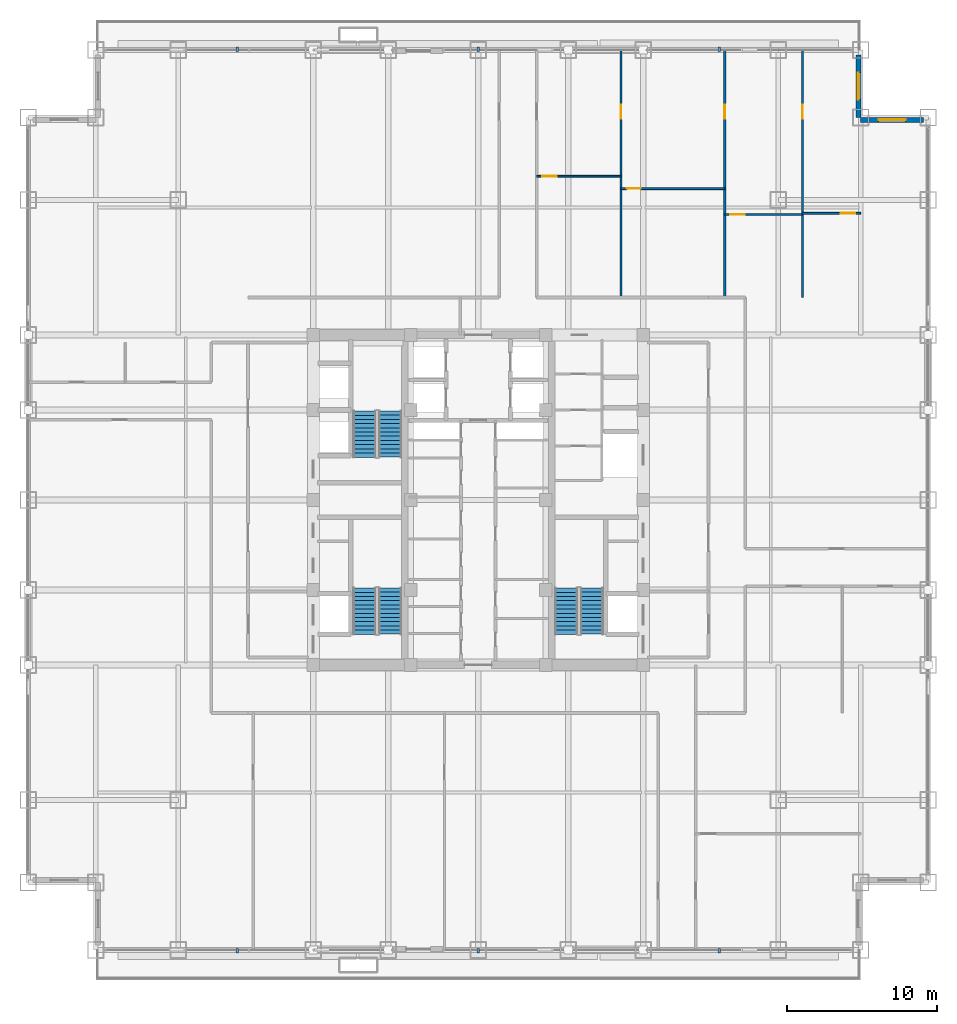
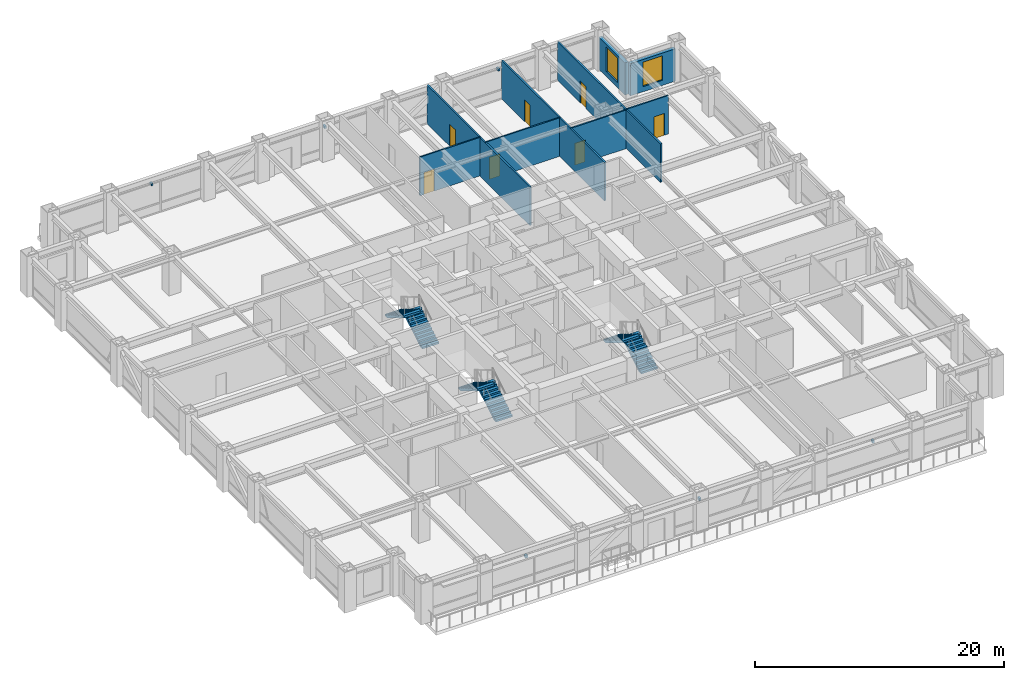
# One storey, part 30 of 35: 9 walls, 7 doors, 6 discrete accessories, 6 stair flights, 2 windows, 9 openings, 3 elements without a shape of their own.
"""IFC4 building model written with IfcOpenShell, lengths in metres."""

from ifc_helpers import new_model, si_unit, direction, frame, frame_2d, origin, origin_2d, place, context, subcontext, project, spatial, polyline, rectangle, outline, extrude, source, transform, mapped, material, layer, layer_set, type_object, element, fill, aggregate, save


model = new_model("IFC4")

# Units and contexts
model_context = context("Model", 3, precision=1e-05, world=origin(), true_north=direction((0.0, 1.0)))
body_context = subcontext(model_context, "Body", "Model", "MODEL_VIEW")
ifc_project = project(units=[si_unit("LENGTHUNIT", "METRE"), si_unit("AREAUNIT", "SQUARE_METRE"), si_unit("VOLUMEUNIT", "CUBIC_METRE"), si_unit("PLANEANGLEUNIT", "RADIAN"), si_unit("MASSUNIT", "GRAM", prefix="KILO")], contexts=[model_context])

# Site, building, storey
site_placement = place(None, origin())
site = spatial("IfcSite", under=ifc_project, at=site_placement, CompositionType="ELEMENT")
building_placement = place(site_placement, origin())
building = spatial("IfcBuilding", under=site, at=building_placement, Name="Khorayat Bourse Tower", CompositionType="ELEMENT")
storey_placement = place(building_placement, frame((0.0, 0.0, 155.10009765625)))
storey = spatial("IfcBuildingStorey", under=building, at=storey_placement, Name="L35", CompositionType="ELEMENT", Elevation=155.10009765625)

# Wall, opening, window
ifc_material_1 = material(Name="Precast concrete C45/55", Category="concrete")
ifc_layer_1 = layer(ifc_material_1, 0.320068359375)
ifc_layer_set_1 = layer_set([ifc_layer_1], Name="Precast concrete C45/55")
wall_type_1 = type_object("IfcWallType", Name="WAL-EXT-STONE-320", PredefinedType="STANDARD", material=ifc_layer_set_1)
shared_shape_1 = source(origin(), body_context, "Body", "SweptSolid", [
    extrude(rectangle(XDim=4.179931640625, YDim=0.320068359375, at=frame_2d((2.08984375, 0.0))), origin(), (0.0, 0.0, 1.0), 3.163818359375),
])
wall_1_placement = place(storey_placement, frame((25.5, 25.340087890625, 0.0), z_axis=(0.0, 0.0, 1.0), x_axis=(1.0, 0.0, 0.0)))
wall_1 = element("IfcWall", 1, at=wall_1_placement, inside=storey, type_object=wall_type_1, Name="L35 Re-Entrant Notch Limestone Wall NE-H", PredefinedType="STANDARD", context=body_context, shape_type="MappedRepresentation", body=[
    mapped(shared_shape_1, transform((0.0, 0.0, 0.0), scale=1.0)),
])
shared_shape_2 = source(origin(), body_context, "Body", "SweptSolid", [
    extrude(rectangle(XDim=1.800048828125, YDim=2.39990234375, at=frame_2d((0.89990234375, 1.199951171875))), frame((0.0, 0.169921875, 0.0), z_axis=(0.0, -1.0, 0.0), x_axis=(1.0, 0.0, 0.0)), (0.0, 0.0, 1.0), 0.340087890625),
])
opening_1_placement = place(wall_1_placement, frame((1.18994140625, 0.0, 0.5)))
opening_1 = element("IfcOpeningElement", 2, at=opening_1_placement, cuts=wall_1, Name="Opening WN-04", PredefinedType="OPENING", context=body_context, shape_type="MappedRepresentation", body=[
    mapped(shared_shape_2, transform((0.0, 0.0, 0.0), scale=1.0)),
])
ifc_material_2 = material(Name="Low-E acoustic laminated double glazing", Category="glass")
window_type = type_object("IfcWindowType", Name="WIN-NOTCH-1800x2400", PartitioningType="SINGLE_PANEL", PredefinedType="WINDOW", material=ifc_material_2)
shared_shape_3 = source(origin(), body_context, "Body", "SweptSolid", [
    extrude(rectangle(XDim=1.800048828125, YDim=2.39990234375, at=frame_2d((0.89990234375, 1.199951171875))), frame((0.0, 0.030029296875, 0.0), z_axis=(0.0, -1.0, 0.0), x_axis=(1.0, 0.0, 0.0)), (0.0, 0.0, 1.0), 0.06005859375),
])
window_1_placement = place(opening_1_placement, origin())
window_1 = element("IfcWindow", 3, at=window_1_placement, inside=storey, type_object=window_type, Name="L35 Facade Window 1", OverallHeight=2.39990234375, OverallWidth=1.800048828125, PartitioningType="SINGLE_PANEL", PredefinedType="WINDOW", context=body_context, shape_type="MappedRepresentation", body=[
    mapped(shared_shape_3, transform((0.0, 0.0, 0.0), scale=1.0)),
])
fill(opening_1, window_1)

wall_2_placement = place(storey_placement, frame((25.340087890625, 25.5, 0.0), z_axis=(0.0, 0.0, 1.0), x_axis=(0.0, 1.0, 0.0)))
wall_2 = element("IfcWall", 4, at=wall_2_placement, inside=storey, type_object=wall_type_1, Name="L35 Re-Entrant Notch Limestone Wall NE-V", PredefinedType="STANDARD", context=body_context, shape_type="MappedRepresentation", body=[
    mapped(shared_shape_1, transform((0.0, 0.0, 0.0), scale=1.0)),
])
opening_2_placement = place(wall_2_placement, frame((1.18994140625, 0.0, 0.5)))
opening_2 = element("IfcOpeningElement", 5, at=opening_2_placement, cuts=wall_2, Name="Opening WN-04", PredefinedType="OPENING", context=body_context, shape_type="MappedRepresentation", body=[
    mapped(shared_shape_2, transform((0.0, 0.0, 0.0), scale=1.0)),
])
window_2_placement = place(opening_2_placement, origin())
window_2 = element("IfcWindow", 6, at=window_2_placement, inside=storey, type_object=window_type, Name="L35 Facade Window 1", OverallHeight=2.39990234375, OverallWidth=1.800048828125, PartitioningType="SINGLE_PANEL", PredefinedType="WINDOW", context=body_context, shape_type="MappedRepresentation", body=[
    mapped(shared_shape_3, transform((0.0, 0.0, 0.0), scale=1.0)),
])
fill(opening_2, window_2)

# Wall, opening, door
ifc_material_3 = material(Name="Gypsum plasterboard partition")
ifc_layer_2 = layer(ifc_material_3, 0.125)
ifc_layer_set_2 = layer_set([ifc_layer_2], Name="Gypsum plasterboard partition")
wall_type_2 = type_object("IfcWallType", Name="WAL-PART-ROOM-125", PredefinedType="PARTITIONING", material=ifc_layer_set_2)
shared_shape_4 = source(origin(), body_context, "Body", "SweptSolid", [
    extrude(rectangle(XDim=5.6162109375, YDim=0.125, at=frame_2d((2.80810546875, 0.0))), origin(), (0.0, 0.0, 1.0), 3.77978515625),
])
wall_3_placement = place(storey_placement, frame((3.89990234375, 21.5849609375, 0.0), z_axis=(0.0, 0.0, 1.0), x_axis=(1.0, 0.0, 0.0)))
wall_3 = element("IfcWall", 7, at=wall_3_placement, inside=storey, type_object=wall_type_2, Name="L35 Partition WAL-L35-QNEDP-1", PredefinedType="PARTITIONING", context=body_context, shape_type="MappedRepresentation", body=[
    mapped(shared_shape_4, transform((0.0, 0.0, 0.0), scale=1.0)),
])
shared_shape_5 = source(origin(), body_context, "Body", "SweptSolid", [
    extrude(rectangle(XDim=0.949951171875, YDim=2.14990234375, at=frame_2d((0.47509765625, 1.074951171875))), frame((0.0, 0.072509765625, 0.0), z_axis=(0.0, -1.0, 0.0), x_axis=(1.0, 0.0, 0.0)), (0.0, 0.0, 1.0), 0.14501953125),
])
opening_3_placement = place(wall_3_placement, frame((0.375, 0.0, 0.0)))
opening_3 = element("IfcOpeningElement", 8, at=opening_3_placement, cuts=wall_3, Name="Opening DI-05", PredefinedType="OPENING", context=body_context, shape_type="MappedRepresentation", body=[
    mapped(shared_shape_5, transform((0.0, 0.0, 0.0), scale=1.0)),
])
ifc_material_4 = material(Name="Acoustic oak veneer office door")
door_type = type_object("IfcDoorType", Name="DR-INT-OFFICE-950", OperationType="NOTDEFINED", PredefinedType="DOOR", material=ifc_material_4)
shared_shape_6 = source(origin(), body_context, "Body", "SweptSolid", [
    extrude(rectangle(XDim=0.949951171875, YDim=2.14990234375, at=frame_2d((0.47509765625, 1.074951171875))), frame((0.0, 0.02490234375, 0.0), z_axis=(0.0, -1.0, 0.0), x_axis=(1.0, 0.0, 0.0)), (0.0, 0.0, 1.0), 0.050048828125),
])
door_1_placement = place(opening_3_placement, origin())
door_1 = element("IfcDoor", 9, at=door_1_placement, inside=storey, type_object=door_type, Name="L35 North-East Staff Tea Pantry 1B Door", OperationType="SINGLE_SWING_RIGHT", OverallHeight=2.14990234375, OverallWidth=0.949951171875, PredefinedType="DOOR", context=body_context, shape_type="MappedRepresentation", body=[
    mapped(shared_shape_6, transform((0.0, 0.0, 0.0), scale=1.0)),
])
fill(opening_3, door_1)

ifc_material_5 = material(Name="Gypsum plasterboard twin-frame partition")
ifc_layer_3 = layer(ifc_material_5, 0.14990234375)
ifc_layer_set_3 = layer_set([ifc_layer_3], Name="Gypsum plasterboard twin-frame partition")
wall_type_3 = type_object("IfcWallType", Name="WAL-PART-SUITE-150", PredefinedType="PARTITIONING", material=ifc_layer_set_3)
shared_shape_7 = source(origin(), body_context, "Body", "SweptSolid", [
    extrude(rectangle(XDim=16.5, YDim=0.14990234375, at=frame_2d((8.25, 0.0))), origin(), (0.0, 0.0, 1.0), 3.77978515625),
])
wall_4_placement = place(storey_placement, frame((9.51611328125, 13.5, 0.0), z_axis=(0.0, 0.0, 1.0), x_axis=(0.0, 1.0, 0.0)))
wall_4 = element("IfcWall", 10, at=wall_4_placement, inside=storey, type_object=wall_type_3, Name="L35 Partition WAL-L35-QNEDV-1", PredefinedType="PARTITIONING", context=body_context, shape_type="MappedRepresentation", body=[
    mapped(shared_shape_7, transform((0.0, 0.0, 0.0), scale=1.0)),
])
shared_shape_8 = source(origin(), body_context, "Body", "SweptSolid", [
    extrude(rectangle(XDim=0.949951171875, YDim=2.14990234375, at=frame_2d((0.47509765625, 1.074951171875))), frame((0.0, 0.0849609375, 0.0), z_axis=(0.0, -1.0, 0.0), x_axis=(1.0, 0.0, 0.0)), (0.0, 0.0, 1.0), 0.169921875),
])
opening_4_placement = place(wall_4_placement, frame((11.89990234375, 0.0, 0.0)))
opening_4 = element("IfcOpeningElement", 11, at=opening_4_placement, cuts=wall_4, Name="Opening DI-05", PredefinedType="OPENING", context=body_context, shape_type="MappedRepresentation", body=[
    mapped(shared_shape_8, transform((0.0, 0.0, 0.0), scale=1.0)),
])
door_2_placement = place(opening_4_placement, origin())
door_2 = element("IfcDoor", 12, at=door_2_placement, inside=storey, type_object=door_type, Name="L35 North-East Suite Link 1", OperationType="SINGLE_SWING_RIGHT", OverallHeight=2.14990234375, OverallWidth=0.949951171875, PredefinedType="DOOR", context=body_context, shape_type="MappedRepresentation", body=[
    mapped(shared_shape_6, transform((0.0, 0.0, 0.0), scale=1.0)),
])
fill(opening_4, door_2)

wall_5_placement = place(storey_placement, frame((16.427978515625, 13.5, 0.0), z_axis=(0.0, 0.0, 1.0), x_axis=(0.0, 1.0, 0.0)))
wall_5 = element("IfcWall", 13, at=wall_5_placement, inside=storey, type_object=wall_type_3, Name="L35 Partition WAL-L35-QNEDV-2", PredefinedType="PARTITIONING", context=body_context, shape_type="MappedRepresentation", body=[
    mapped(shared_shape_7, transform((0.0, 0.0, 0.0), scale=1.0)),
])
opening_5_placement = place(wall_5_placement, frame((11.89990234375, 0.0, 0.0)))
opening_5 = element("IfcOpeningElement", 14, at=opening_5_placement, cuts=wall_5, Name="Opening DI-05", PredefinedType="OPENING", context=body_context, shape_type="MappedRepresentation", body=[
    mapped(shared_shape_8, transform((0.0, 0.0, 0.0), scale=1.0)),
])
door_3_placement = place(opening_5_placement, origin())
door_3 = element("IfcDoor", 15, at=door_3_placement, inside=storey, type_object=door_type, Name="L35 North-East Suite Link 2", OperationType="SINGLE_SWING_LEFT", OverallHeight=2.14990234375, OverallWidth=0.949951171875, PredefinedType="DOOR", context=body_context, shape_type="MappedRepresentation", body=[
    mapped(shared_shape_6, transform((0.0, 0.0, 0.0), scale=1.0)),
])
fill(opening_5, door_3)

wall_6_placement = place(storey_placement, frame((21.612060546875, 13.5, 0.0), z_axis=(0.0, 0.0, 1.0), x_axis=(0.0, 1.0, 0.0)))
wall_6 = element("IfcWall", 16, at=wall_6_placement, inside=storey, type_object=wall_type_3, Name="L35 Partition WAL-L35-QNEDV-3", PredefinedType="PARTITIONING", context=body_context, shape_type="MappedRepresentation", body=[
    mapped(shared_shape_7, transform((0.0, 0.0, 0.0), scale=1.0)),
])
opening_6_placement = place(wall_6_placement, frame((11.89990234375, 0.0, 0.0)))
opening_6 = element("IfcOpeningElement", 17, at=opening_6_placement, cuts=wall_6, Name="Opening DI-05", PredefinedType="OPENING", context=body_context, shape_type="MappedRepresentation", body=[
    mapped(shared_shape_8, transform((0.0, 0.0, 0.0), scale=1.0)),
])
door_4_placement = place(opening_6_placement, origin())
door_4 = element("IfcDoor", 18, at=door_4_placement, inside=storey, type_object=door_type, Name="L35 North-East Suite Link 3", OperationType="SINGLE_SWING_RIGHT", OverallHeight=2.14990234375, OverallWidth=0.949951171875, PredefinedType="DOOR", context=body_context, shape_type="MappedRepresentation", body=[
    mapped(shared_shape_6, transform((0.0, 0.0, 0.0), scale=1.0)),
])
fill(opening_6, door_4)

shared_shape_9 = source(origin(), body_context, "Body", "SweptSolid", [
    extrude(rectangle(XDim=6.911865234375, YDim=0.125, at=frame_2d((3.4560546875, 0.0))), origin(), (0.0, 0.0, 1.0), 3.77978515625),
])
wall_7_placement = place(storey_placement, frame((9.51611328125, 20.760009765625, 0.0), z_axis=(0.0, 0.0, 1.0), x_axis=(1.0, 0.0, 0.0)))
wall_7 = element("IfcWall", 19, at=wall_7_placement, inside=storey, type_object=wall_type_2, Name="L35 Partition WAL-L35-QNEDP-2", PredefinedType="PARTITIONING", context=body_context, shape_type="MappedRepresentation", body=[
    mapped(shared_shape_9, transform((0.0, 0.0, 0.0), scale=1.0)),
])
opening_7_placement = place(wall_7_placement, frame((0.375, 0.0, 0.0)))
opening_7 = element("IfcOpeningElement", 20, at=opening_7_placement, cuts=wall_7, Name="Opening DI-05", PredefinedType="OPENING", context=body_context, shape_type="MappedRepresentation", body=[
    mapped(shared_shape_5, transform((0.0, 0.0, 0.0), scale=1.0)),
])
door_5_placement = place(opening_7_placement, origin())
door_5 = element("IfcDoor", 21, at=door_5_placement, inside=storey, type_object=door_type, Name="L35 North-East Clearing Records Archive Store 2B Door", OperationType="SINGLE_SWING_LEFT", OverallHeight=2.14990234375, OverallWidth=0.949951171875, PredefinedType="DOOR", context=body_context, shape_type="MappedRepresentation", body=[
    mapped(shared_shape_6, transform((0.0, 0.0, 0.0), scale=1.0)),
])
fill(opening_7, door_5)

shared_shape_10 = source(origin(), body_context, "Body", "SweptSolid", [
    extrude(rectangle(XDim=5.18408203125, YDim=0.125, at=frame_2d((2.592041015625, 0.0))), origin(), (0.0, 0.0, 1.0), 3.77978515625),
])
wall_8_placement = place(storey_placement, frame((16.427978515625, 19.034912109375, 0.0), z_axis=(0.0, 0.0, 1.0), x_axis=(1.0, 0.0, 0.0)))
wall_8 = element("IfcWall", 22, at=wall_8_placement, inside=storey, type_object=wall_type_2, Name="L35 Partition WAL-L35-QNEDP-3", PredefinedType="PARTITIONING", context=body_context, shape_type="MappedRepresentation", body=[
    mapped(shared_shape_10, transform((0.0, 0.0, 0.0), scale=1.0)),
])
opening_8_placement = place(wall_8_placement, frame((0.375, 0.0, 0.0)))
opening_8 = element("IfcOpeningElement", 23, at=opening_8_placement, cuts=wall_8, Name="Opening DI-05", PredefinedType="OPENING", context=body_context, shape_type="MappedRepresentation", body=[
    mapped(shared_shape_5, transform((0.0, 0.0, 0.0), scale=1.0)),
])
door_6_placement = place(opening_8_placement, origin())
door_6 = element("IfcDoor", 24, at=door_6_placement, inside=storey, type_object=door_type, Name="L35 North-East Members Dining Room 3B Door", OperationType="SINGLE_SWING_RIGHT", OverallHeight=2.14990234375, OverallWidth=0.949951171875, PredefinedType="DOOR", context=body_context, shape_type="MappedRepresentation", body=[
    mapped(shared_shape_6, transform((0.0, 0.0, 0.0), scale=1.0)),
])
fill(opening_8, door_6)

shared_shape_11 = source(origin(), body_context, "Body", "SweptSolid", [
    extrude(rectangle(XDim=3.887939453125, YDim=0.125, at=frame_2d((1.94384765625, 0.0))), origin(), (0.0, 0.0, 1.0), 3.77978515625),
])
wall_9_placement = place(storey_placement, frame((21.612060546875, 19.110107421875, 0.0), z_axis=(0.0, 0.0, 1.0), x_axis=(1.0, 0.0, 0.0)))
wall_9 = element("IfcWall", 25, at=wall_9_placement, inside=storey, type_object=wall_type_2, Name="L35 Partition WAL-L35-QNEDP-4", PredefinedType="PARTITIONING", context=body_context, shape_type="MappedRepresentation", body=[
    mapped(shared_shape_11, transform((0.0, 0.0, 0.0), scale=1.0)),
])
opening_9_placement = place(wall_9_placement, frame((2.56298828125, 0.0, 0.0)))
opening_9 = element("IfcOpeningElement", 26, at=opening_9_placement, cuts=wall_9, Name="Opening DI-05", PredefinedType="OPENING", context=body_context, shape_type="MappedRepresentation", body=[
    mapped(shared_shape_5, transform((0.0, 0.0, 0.0), scale=1.0)),
])
door_7_placement = place(opening_9_placement, origin())
door_7 = element("IfcDoor", 27, at=door_7_placement, inside=storey, type_object=door_type, Name="L35 North-East Market Committee Conference Room 4B Door", OperationType="SINGLE_SWING_LEFT", OverallHeight=2.14990234375, OverallWidth=0.949951171875, PredefinedType="DOOR", context=body_context, shape_type="MappedRepresentation", body=[
    mapped(shared_shape_6, transform((0.0, 0.0, 0.0), scale=1.0)),
])
fill(opening_9, door_7)

# Stair, stair flights
ifc_material_6 = material(Name="Concrete C40/50", Category="concrete")
stair_type = type_object("IfcStairType", Name="STR-CORE-1550", PredefinedType="HALF_TURN_STAIR", material=ifc_material_6)
stair_1_placement = place(storey_placement, origin())
stair_1 = element("IfcStair", 28, at=stair_1_placement, inside=storey, type_object=stair_type, Name="L35 Exit Stair ST-1", PredefinedType="HALF_TURN_STAIR")
stair_flight_type = type_object("IfcStairFlightType", Name="FLT-CORE-1550", PredefinedType="STRAIGHT", material=ifc_material_6)
shared_shape_12 = source(origin(), body_context, "Body", "SweptSolid", [
    extrude(outline(polyline([(0.0, 0.0), (0.0, 0.166748046875), (0.280029296875, 0.166748046875), (0.280029296875, 0.333251953125), (0.56005859375, 0.333251953125), (0.56005859375, 0.5), (0.840087890625, 0.5), (0.840087890625, 0.666748046875), (1.1201171875, 0.666748046875), (1.1201171875, 0.833251953125), (1.39990234375, 0.833251953125), (1.39990234375, 1.0), (1.679931640625, 1.0), (1.679931640625, 1.166748046875), (1.9599609375, 1.166748046875), (1.9599609375, 1.333251953125), (2.239990234375, 1.333251953125), (2.239990234375, 1.5), (2.52001953125, 1.5), (2.52001953125, 1.666748046875), (2.800048828125, 1.666748046875), (2.800048828125, 1.833251953125), (3.080078125, 1.833251953125), (3.080078125, 2.0), (3.080078125, 1.6240234375), (0.351806640625, 0.0), (0.0, 0.0)])), frame((0.0, 0.77490234375, 0.0), z_axis=(0.0, -1.0, 0.0), x_axis=(1.0, 0.0, 0.0)), (0.0, 0.0, 1.0), 1.550048828125),
])
stair_flight_1_placement = place(storey_placement, frame((-5.875, -8.949951171875, 0.0), z_axis=(0.0, 0.0, 1.0), x_axis=(0.0, 1.0, 0.0)))
stair_flight_1 = element("IfcStairFlight", 29, at=stair_flight_1_placement, type_object=stair_flight_type, Name="ST-1 flight 1", NumberOfRisers=12, NumberOfTreads=11, PredefinedType="STRAIGHT", RiserHeight=0.166666667, TreadLength=0.28, context=body_context, shape_type="MappedRepresentation", body=[
    mapped(shared_shape_12, transform((0.0, 0.0, 0.0), scale=1.0)),
])
stair_flight_2_placement = place(storey_placement, frame((-7.574951171875, -5.8701171875, 2.0), z_axis=(0.0, 0.0, 1.0), x_axis=(0.0, -1.0, 0.0)))
stair_flight_2 = element("IfcStairFlight", 30, at=stair_flight_2_placement, type_object=stair_flight_type, Name="ST-1 flight 2", NumberOfRisers=12, NumberOfTreads=11, PredefinedType="STRAIGHT", RiserHeight=0.166666667, TreadLength=0.28, context=body_context, shape_type="MappedRepresentation", body=[
    mapped(shared_shape_12, transform((0.0, 0.0, 0.0), scale=1.0)),
])
aggregate(stair_1, [stair_flight_1, stair_flight_2])

stair_2_placement = place(storey_placement, origin())
stair_2 = element("IfcStair", 31, at=stair_2_placement, inside=storey, type_object=stair_type, Name="L35 Exit Stair ST-2", PredefinedType="HALF_TURN_STAIR")
stair_flight_3_placement = place(storey_placement, frame((-5.875, 2.85009765625, 0.0), z_axis=(0.0, 0.0, 1.0), x_axis=(0.0, 1.0, 0.0)))
stair_flight_3 = element("IfcStairFlight", 32, at=stair_flight_3_placement, type_object=stair_flight_type, Name="ST-2 flight 1", NumberOfRisers=12, NumberOfTreads=11, PredefinedType="STRAIGHT", RiserHeight=0.166666667, TreadLength=0.28, context=body_context, shape_type="MappedRepresentation", body=[
    mapped(shared_shape_12, transform((0.0, 0.0, 0.0), scale=1.0)),
])
stair_flight_4_placement = place(storey_placement, frame((-7.574951171875, 5.929931640625, 2.0), z_axis=(0.0, 0.0, 1.0), x_axis=(0.0, -1.0, 0.0)))
stair_flight_4 = element("IfcStairFlight", 33, at=stair_flight_4_placement, type_object=stair_flight_type, Name="ST-2 flight 2", NumberOfRisers=12, NumberOfTreads=11, PredefinedType="STRAIGHT", RiserHeight=0.166666667, TreadLength=0.28, context=body_context, shape_type="MappedRepresentation", body=[
    mapped(shared_shape_12, transform((0.0, 0.0, 0.0), scale=1.0)),
])
aggregate(stair_2, [stair_flight_3, stair_flight_4])

stair_3_placement = place(storey_placement, origin())
stair_3 = element("IfcStair", 34, at=stair_3_placement, inside=storey, type_object=stair_type, Name="L35 Exit Stair ST-3", PredefinedType="HALF_TURN_STAIR")
stair_flight_5_placement = place(storey_placement, frame((7.574951171875, -8.949951171875, 0.0), z_axis=(0.0, 0.0, 1.0), x_axis=(0.0, 1.0, 0.0)))
stair_flight_5 = element("IfcStairFlight", 35, at=stair_flight_5_placement, type_object=stair_flight_type, Name="ST-3 flight 1", NumberOfRisers=12, NumberOfTreads=11, PredefinedType="STRAIGHT", RiserHeight=0.166666667, TreadLength=0.28, context=body_context, shape_type="MappedRepresentation", body=[
    mapped(shared_shape_12, transform((0.0, 0.0, 0.0), scale=1.0)),
])
stair_flight_6_placement = place(storey_placement, frame((5.875, -5.8701171875, 2.0), z_axis=(0.0, 0.0, 1.0), x_axis=(0.0, -1.0, 0.0)))
stair_flight_6 = element("IfcStairFlight", 36, at=stair_flight_6_placement, type_object=stair_flight_type, Name="ST-3 flight 2", NumberOfRisers=12, NumberOfTreads=11, PredefinedType="STRAIGHT", RiserHeight=0.166666667, TreadLength=0.28, context=body_context, shape_type="MappedRepresentation", body=[
    mapped(shared_shape_12, transform((0.0, 0.0, 0.0), scale=1.0)),
])
aggregate(stair_3, [stair_flight_5, stair_flight_6])

# Discrete accessories
ifc_material_7 = material(Name="Steel EN 10025-2 S355J2", Category="steel")
discrete_accessory_type = type_object("IfcDiscreteAccessoryType", Name="ACC-SHADE-BRACKET", PredefinedType="BRACKET", material=ifc_material_7)
shared_shape_13 = source(origin(), body_context, "Body", "SweptSolid", [
    extrude(rectangle(XDim=0.179931640625, YDim=0.300048828125, at=origin_2d()), origin(), (0.0, 0.0, 1.0), 0.239990234375),
])
for number, where, z_axis, x_axis, name in (
    (37, (-16.066650390625, -30.06005859375, 2.8798828125), (0.0, 0.0, 1.0), (1.0, 0.0, 0.0), "L35 Sunshade Support Bracket S-1"),
    (38, (0.0, -30.06005859375, 2.8798828125), (0.0, 0.0, 1.0), (1.0, 0.0, 0.0), "L35 Sunshade Support Bracket S-2"),
    (39, (16.066650390625, -30.06005859375, 2.8798828125), (0.0, 0.0, 1.0), (1.0, 0.0, 0.0), "L35 Sunshade Support Bracket S-3"),
    (40, (-16.066650390625, 30.06005859375, 2.8798828125), (0.0, 0.0, 1.0), (1.0, 0.0, 0.0), "L35 Sunshade Support Bracket N-1"),
    (41, (0.0, 30.06005859375, 2.8798828125), (0.0, 0.0, 1.0), (1.0, 0.0, 0.0), "L35 Sunshade Support Bracket N-2"),
    (42, (16.066650390625, 30.06005859375, 2.8798828125), (0.0, 0.0, 1.0), (1.0, 0.0, 0.0), "L35 Sunshade Support Bracket N-3"),
):
    element("IfcDiscreteAccessory", number, at=place(storey_placement, frame(where, z_axis=z_axis, x_axis=x_axis)), inside=storey, type_object=discrete_accessory_type, Name=name, PredefinedType="BRACKET", context=body_context, shape_type="MappedRepresentation", body=[
        mapped(shared_shape_13, transform((0.0, 0.0, 0.0), scale=1.0)),
    ])

save(model, "model.ifc")
